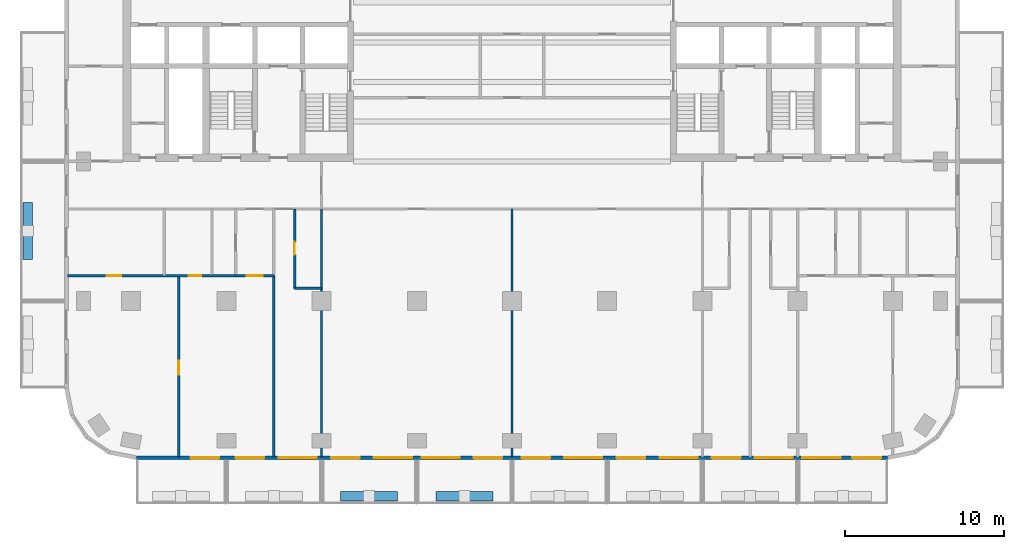
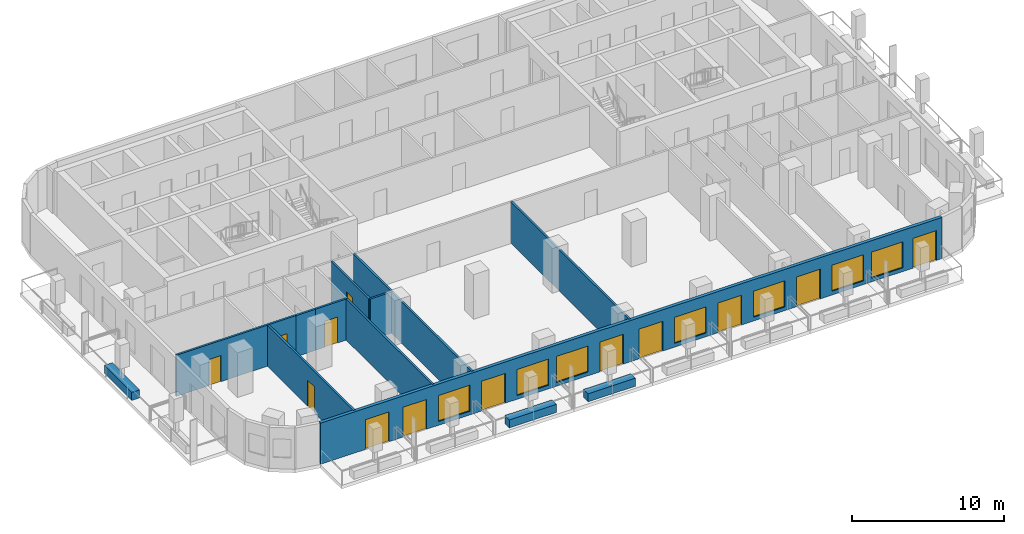
# One storey, part 2 of 11: 13 doors, 13 walls, 7 windows, 20 openings.
"""IFC4 building model written with IfcOpenShell, lengths in metres."""

from ifc_helpers import new_model, si_unit, direction, frame, frame_2d, origin, place, context, subcontext, project, spatial, rectangle, extrude, material, layer, layer_set, type_object, element, fill, save


model = new_model("IFC4")

# Units and contexts
model_context = context("Model", 3, precision=1e-05, world=origin(), true_north=direction((0.0, 1.0)))
body_context = subcontext(model_context, "Body", "Model", "MODEL_VIEW")
ifc_project = project(units=[si_unit("LENGTHUNIT", "METRE"), si_unit("AREAUNIT", "SQUARE_METRE"), si_unit("VOLUMEUNIT", "CUBIC_METRE"), si_unit("PLANEANGLEUNIT", "RADIAN"), si_unit("MASSUNIT", "GRAM", prefix="KILO")], contexts=[model_context])

# Site, building, storey
site_placement = place(None, origin())
site = spatial("IfcSite", under=ifc_project, at=site_placement, CompositionType="ELEMENT")
building_placement = place(site_placement, origin())
building = spatial("IfcBuilding", under=site, at=building_placement, Name="Torana Hotel and Residences", CompositionType="ELEMENT")
storey_placement = place(building_placement, frame((0.0, 0.0, 130.800048828125)))
storey = spatial("IfcBuildingStorey", under=building, at=storey_placement, Name="L33", CompositionType="ELEMENT", Elevation=130.800048828125)

# Wall, openings, doors, windows
ifc_material_1 = material(Name="Black aluminium composite panel", Category="aluminium")
ifc_layer_1 = layer(ifc_material_1, 0.00390625, Name="Cladding", Category="cladding")
ifc_material_2 = material(Name="Ventilated air cavity")
ifc_layer_2 = layer(ifc_material_2, 0.0400390625, Name="Ventilated cavity", Category="cavity")
ifc_material_3 = material(Name="Mineral wool insulation")
ifc_layer_3 = layer(ifc_material_3, 0.090087890625, Name="Insulation", Category="insulation")
ifc_material_4 = material(Name="Steel S280GD", Category="steel")
ifc_layer_4 = layer(ifc_material_4, 0.092041015625, Name="Steel stud frame", Category="structure")
ifc_material_5 = material(Name="Fire rated plasterboard")
ifc_layer_5 = layer(ifc_material_5, 0.011962890625, Name="Inner board", Category="finish")
ifc_layer_6 = layer(ifc_material_5, 0.011962890625, Name="Second board", Category="finish")
ifc_layer_set_1 = layer_set([ifc_layer_1, ifc_layer_2, ifc_layer_3, ifc_layer_4, ifc_layer_5, ifc_layer_6], Name="EW1 EXTERNAL WALL BLACK METAL CLAD 250")
wall_type_1 = type_object("IfcWallType", Name="EW1 EXTERNAL WALL BLACK METAL CLAD 250", PredefinedType="SOLIDWALL", material=ifc_layer_set_1)
wall_1_placement = place(storey_placement, frame((-23.67529296875, -33.675048828125, 0.0), z_axis=(0.0, 0.0, 1.0), x_axis=(1.0, 0.0, 0.0)))
wall_1 = element("IfcWall", 1, at=wall_1_placement, inside=storey, type_object=wall_type_1, Name="External wall L33 e0.14", PredefinedType="SOLIDWALL", context=body_context, shape_type="SweptSolid", body=[
    extrude(rectangle(XDim=47.3505859375, YDim=0.25, at=frame_2d((23.67529296875, 0.0))), origin(), (0.0, 0.0, 1.0), 3.320068359375),
])
opening_1_placement = place(wall_1_placement, frame((3.42529296875, 0.0, 0.0)))
opening_1 = element("IfcOpeningElement", 2, at=opening_1_placement, cuts=wall_1, Name="Opening L33-E01", PredefinedType="OPENING", context=body_context, shape_type="SweptSolid", body=[
    extrude(rectangle(XDim=1.800048828125, YDim=2.39990234375, at=frame_2d((0.89990234375, 1.199951171875))), frame((0.0, 0.135009765625, 0.0), z_axis=(0.0, -1.0, 0.0), x_axis=(1.0, 0.0, 0.0)), (0.0, 0.0, 1.0), 0.27001953125),
])
opening_2_placement = place(wall_1_placement, frame((6.275390625, 0.0, 0.0)))
opening_2 = element("IfcOpeningElement", 3, at=opening_2_placement, cuts=wall_1, Name="Opening L33-E02", PredefinedType="OPENING", context=body_context, shape_type="SweptSolid", body=[
    extrude(rectangle(XDim=1.800048828125, YDim=2.39990234375, at=frame_2d((0.89990234375, 1.199951171875))), frame((0.0, 0.135009765625, 0.0), z_axis=(0.0, -1.0, 0.0), x_axis=(1.0, 0.0, 0.0)), (0.0, 0.0, 1.0), 0.27001953125),
])
opening_3_placement = place(wall_1_placement, frame((8.975341796875, 0.0, 0.300048828125)))
opening_3 = element("IfcOpeningElement", 4, at=opening_3_placement, cuts=wall_1, Name="Opening W1", PredefinedType="OPENING", context=body_context, shape_type="SweptSolid", body=[
    extrude(rectangle(XDim=2.39990234375, YDim=2.10009765625, at=frame_2d((1.199951171875, 1.050048828125))), frame((0.0, 0.135009765625, 0.0), z_axis=(0.0, -1.0, 0.0), x_axis=(1.0, 0.0, 0.0)), (0.0, 0.0, 1.0), 0.27001953125),
])
opening_4_placement = place(wall_1_placement, frame((12.275390625, 0.0, 0.0)))
opening_4 = element("IfcOpeningElement", 5, at=opening_4_placement, cuts=wall_1, Name="Opening L33-E03", PredefinedType="OPENING", context=body_context, shape_type="SweptSolid", body=[
    extrude(rectangle(XDim=1.800048828125, YDim=2.39990234375, at=frame_2d((0.89990234375, 1.199951171875))), frame((0.0, 0.135009765625, 0.0), z_axis=(0.0, -1.0, 0.0), x_axis=(1.0, 0.0, 0.0)), (0.0, 0.0, 1.0), 0.27001953125),
])
opening_5_placement = place(wall_1_placement, frame((14.975341796875, 0.0, 0.300048828125)))
opening_5 = element("IfcOpeningElement", 6, at=opening_5_placement, cuts=wall_1, Name="Opening W1", PredefinedType="OPENING", context=body_context, shape_type="SweptSolid", body=[
    extrude(rectangle(XDim=2.39990234375, YDim=2.10009765625, at=frame_2d((1.199951171875, 1.050048828125))), frame((0.0, 0.135009765625, 0.0), z_axis=(0.0, -1.0, 0.0), x_axis=(1.0, 0.0, 0.0)), (0.0, 0.0, 1.0), 0.27001953125),
])
opening_6_placement = place(wall_1_placement, frame((17.975341796875, 0.0, 0.300048828125)))
opening_6 = element("IfcOpeningElement", 7, at=opening_6_placement, cuts=wall_1, Name="Opening W1", PredefinedType="OPENING", context=body_context, shape_type="SweptSolid", body=[
    extrude(rectangle(XDim=2.39990234375, YDim=2.10009765625, at=frame_2d((1.199951171875, 1.050048828125))), frame((0.0, 0.135009765625, 0.0), z_axis=(0.0, -1.0, 0.0), x_axis=(1.0, 0.0, 0.0)), (0.0, 0.0, 1.0), 0.27001953125),
])
opening_7_placement = place(wall_1_placement, frame((21.275390625, 0.0, 0.0)))
opening_7 = element("IfcOpeningElement", 8, at=opening_7_placement, cuts=wall_1, Name="Opening L33-E04", PredefinedType="OPENING", context=body_context, shape_type="SweptSolid", body=[
    extrude(rectangle(XDim=1.800048828125, YDim=2.39990234375, at=frame_2d((0.89990234375, 1.199951171875))), frame((0.0, 0.135009765625, 0.0), z_axis=(0.0, -1.0, 0.0), x_axis=(1.0, 0.0, 0.0)), (0.0, 0.0, 1.0), 0.27001953125),
])
opening_8_placement = place(wall_1_placement, frame((24.275390625, 0.0, 0.0)))
opening_8 = element("IfcOpeningElement", 9, at=opening_8_placement, cuts=wall_1, Name="Opening L33-E05", PredefinedType="OPENING", context=body_context, shape_type="SweptSolid", body=[
    extrude(rectangle(XDim=1.800048828125, YDim=2.39990234375, at=frame_2d((0.89990234375, 1.199951171875))), frame((0.0, 0.135009765625, 0.0), z_axis=(0.0, -1.0, 0.0), x_axis=(1.0, 0.0, 0.0)), (0.0, 0.0, 1.0), 0.27001953125),
])
opening_9_placement = place(wall_1_placement, frame((26.975341796875, 0.0, 0.300048828125)))
opening_9 = element("IfcOpeningElement", 10, at=opening_9_placement, cuts=wall_1, Name="Opening W1", PredefinedType="OPENING", context=body_context, shape_type="SweptSolid", body=[
    extrude(rectangle(XDim=2.39990234375, YDim=2.10009765625, at=frame_2d((1.199951171875, 1.050048828125))), frame((0.0, 0.135009765625, 0.0), z_axis=(0.0, -1.0, 0.0), x_axis=(1.0, 0.0, 0.0)), (0.0, 0.0, 1.0), 0.27001953125),
])
opening_10_placement = place(wall_1_placement, frame((30.275390625, 0.0, 0.0)))
opening_10 = element("IfcOpeningElement", 11, at=opening_10_placement, cuts=wall_1, Name="Opening L33-E06", PredefinedType="OPENING", context=body_context, shape_type="SweptSolid", body=[
    extrude(rectangle(XDim=1.800048828125, YDim=2.39990234375, at=frame_2d((0.89990234375, 1.199951171875))), frame((0.0, 0.135009765625, 0.0), z_axis=(0.0, -1.0, 0.0), x_axis=(1.0, 0.0, 0.0)), (0.0, 0.0, 1.0), 0.27001953125),
])
opening_11_placement = place(wall_1_placement, frame((32.975341796875, 0.0, 0.300048828125)))
opening_11 = element("IfcOpeningElement", 12, at=opening_11_placement, cuts=wall_1, Name="Opening W1", PredefinedType="OPENING", context=body_context, shape_type="SweptSolid", body=[
    extrude(rectangle(XDim=2.39990234375, YDim=2.10009765625, at=frame_2d((1.199951171875, 1.050048828125))), frame((0.0, 0.135009765625, 0.0), z_axis=(0.0, -1.0, 0.0), x_axis=(1.0, 0.0, 0.0)), (0.0, 0.0, 1.0), 0.27001953125),
])
opening_12_placement = place(wall_1_placement, frame((36.275390625, 0.0, 0.0)))
opening_12 = element("IfcOpeningElement", 13, at=opening_12_placement, cuts=wall_1, Name="Opening L33-E07", PredefinedType="OPENING", context=body_context, shape_type="SweptSolid", body=[
    extrude(rectangle(XDim=1.800048828125, YDim=2.39990234375, at=frame_2d((0.89990234375, 1.199951171875))), frame((0.0, 0.135009765625, 0.0), z_axis=(0.0, -1.0, 0.0), x_axis=(1.0, 0.0, 0.0)), (0.0, 0.0, 1.0), 0.27001953125),
])
opening_13_placement = place(wall_1_placement, frame((38.975341796875, 0.0, 0.300048828125)))
opening_13 = element("IfcOpeningElement", 14, at=opening_13_placement, cuts=wall_1, Name="Opening W1", PredefinedType="OPENING", context=body_context, shape_type="SweptSolid", body=[
    extrude(rectangle(XDim=2.39990234375, YDim=2.10009765625, at=frame_2d((1.199951171875, 1.050048828125))), frame((0.0, 0.135009765625, 0.0), z_axis=(0.0, -1.0, 0.0), x_axis=(1.0, 0.0, 0.0)), (0.0, 0.0, 1.0), 0.27001953125),
])
opening_14_placement = place(wall_1_placement, frame((41.975341796875, 0.0, 0.300048828125)))
opening_14 = element("IfcOpeningElement", 15, at=opening_14_placement, cuts=wall_1, Name="Opening W1", PredefinedType="OPENING", context=body_context, shape_type="SweptSolid", body=[
    extrude(rectangle(XDim=2.39990234375, YDim=2.10009765625, at=frame_2d((1.199951171875, 1.050048828125))), frame((0.0, 0.135009765625, 0.0), z_axis=(0.0, -1.0, 0.0), x_axis=(1.0, 0.0, 0.0)), (0.0, 0.0, 1.0), 0.27001953125),
])
opening_15_placement = place(wall_1_placement, frame((45.12548828125, 0.0, 0.0)))
opening_15 = element("IfcOpeningElement", 16, at=opening_15_placement, cuts=wall_1, Name="Opening L33-E08", PredefinedType="OPENING", context=body_context, shape_type="SweptSolid", body=[
    extrude(rectangle(XDim=1.800048828125, YDim=2.39990234375, at=frame_2d((0.89990234375, 1.199951171875))), frame((0.0, 0.135009765625, 0.0), z_axis=(0.0, -1.0, 0.0), x_axis=(1.0, 0.0, 0.0)), (0.0, 0.0, 1.0), 0.27001953125),
])
ifc_material_6 = material(Name="Dark glass in black aluminium frame", Category="aluminium")
door_type_1 = type_object("IfcDoorType", Name="DB1 BALCONY DOOR 1800x2400", OperationType="DOUBLE_DOOR_SINGLE_SWING", PredefinedType="DOOR", material=ifc_material_6)
door_1_placement = place(opening_1_placement, frame((0.89990234375, 0.0, 0.0), z_axis=(0.0, 0.0, 1.0), x_axis=(-1.0, 0.0, 0.0)))
door_1 = element("IfcDoor", 17, at=door_1_placement, inside=storey, type_object=door_type_1, Name="Balcony door L33", OperationType="DOUBLE_DOOR_SINGLE_SWING", OverallHeight=2.39990234375, OverallWidth=1.800048828125, PredefinedType="DOOR", context=body_context, shape_type="SweptSolid", body=[
    extrude(rectangle(XDim=1.800048828125, YDim=2.39990234375, at=frame_2d((0.0, 1.199951171875))), frame((0.0, -0.02490234375, 0.0), z_axis=(0.0, 1.0, 0.0), x_axis=(-1.0, 0.0, 0.0)), (0.0, 0.0, 1.0), 0.050048828125),
])
fill(opening_1, door_1)
door_2_placement = place(opening_2_placement, origin())
door_2 = element("IfcDoor", 18, at=door_2_placement, inside=storey, type_object=door_type_1, Name="Balcony door L33", OperationType="DOUBLE_DOOR_SINGLE_SWING", OverallHeight=2.39990234375, OverallWidth=1.800048828125, PredefinedType="DOOR", context=body_context, shape_type="SweptSolid", body=[
    extrude(rectangle(XDim=1.800048828125, YDim=2.39990234375, at=frame_2d((0.89990234375, 1.199951171875))), frame((0.0, 0.02490234375, 0.0), z_axis=(0.0, -1.0, 0.0), x_axis=(1.0, 0.0, 0.0)), (0.0, 0.0, 1.0), 0.050048828125),
])
fill(opening_2, door_2)
door_3_placement = place(opening_4_placement, origin())
door_3 = element("IfcDoor", 19, at=door_3_placement, inside=storey, type_object=door_type_1, Name="Balcony door L33", OperationType="DOUBLE_DOOR_SINGLE_SWING", OverallHeight=2.39990234375, OverallWidth=1.800048828125, PredefinedType="DOOR", context=body_context, shape_type="SweptSolid", body=[
    extrude(rectangle(XDim=1.800048828125, YDim=2.39990234375, at=frame_2d((0.89990234375, 1.199951171875))), frame((0.0, 0.02490234375, 0.0), z_axis=(0.0, -1.0, 0.0), x_axis=(1.0, 0.0, 0.0)), (0.0, 0.0, 1.0), 0.050048828125),
])
fill(opening_4, door_3)
door_4_placement = place(opening_7_placement, origin())
door_4 = element("IfcDoor", 20, at=door_4_placement, inside=storey, type_object=door_type_1, Name="Balcony door L33", OperationType="DOUBLE_DOOR_SINGLE_SWING", OverallHeight=2.39990234375, OverallWidth=1.800048828125, PredefinedType="DOOR", context=body_context, shape_type="SweptSolid", body=[
    extrude(rectangle(XDim=1.800048828125, YDim=2.39990234375, at=frame_2d((0.89990234375, 1.199951171875))), frame((0.0, 0.02490234375, 0.0), z_axis=(0.0, -1.0, 0.0), x_axis=(1.0, 0.0, 0.0)), (0.0, 0.0, 1.0), 0.050048828125),
])
fill(opening_7, door_4)
door_5_placement = place(opening_8_placement, origin())
door_5 = element("IfcDoor", 21, at=door_5_placement, inside=storey, type_object=door_type_1, Name="Balcony door L33", OperationType="DOUBLE_DOOR_SINGLE_SWING", OverallHeight=2.39990234375, OverallWidth=1.800048828125, PredefinedType="DOOR", context=body_context, shape_type="SweptSolid", body=[
    extrude(rectangle(XDim=1.800048828125, YDim=2.39990234375, at=frame_2d((0.89990234375, 1.199951171875))), frame((0.0, 0.02490234375, 0.0), z_axis=(0.0, -1.0, 0.0), x_axis=(1.0, 0.0, 0.0)), (0.0, 0.0, 1.0), 0.050048828125),
])
fill(opening_8, door_5)
door_6_placement = place(opening_10_placement, origin())
door_6 = element("IfcDoor", 22, at=door_6_placement, inside=storey, type_object=door_type_1, Name="Balcony door L33", OperationType="DOUBLE_DOOR_SINGLE_SWING", OverallHeight=2.39990234375, OverallWidth=1.800048828125, PredefinedType="DOOR", context=body_context, shape_type="SweptSolid", body=[
    extrude(rectangle(XDim=1.800048828125, YDim=2.39990234375, at=frame_2d((0.89990234375, 1.199951171875))), frame((0.0, 0.02490234375, 0.0), z_axis=(0.0, -1.0, 0.0), x_axis=(1.0, 0.0, 0.0)), (0.0, 0.0, 1.0), 0.050048828125),
])
fill(opening_10, door_6)
door_7_placement = place(opening_12_placement, origin())
door_7 = element("IfcDoor", 23, at=door_7_placement, inside=storey, type_object=door_type_1, Name="Balcony door L33", OperationType="DOUBLE_DOOR_SINGLE_SWING", OverallHeight=2.39990234375, OverallWidth=1.800048828125, PredefinedType="DOOR", context=body_context, shape_type="SweptSolid", body=[
    extrude(rectangle(XDim=1.800048828125, YDim=2.39990234375, at=frame_2d((0.89990234375, 1.199951171875))), frame((0.0, 0.02490234375, 0.0), z_axis=(0.0, -1.0, 0.0), x_axis=(1.0, 0.0, 0.0)), (0.0, 0.0, 1.0), 0.050048828125),
])
fill(opening_12, door_7)
door_8_placement = place(opening_15_placement, origin())
door_8 = element("IfcDoor", 24, at=door_8_placement, inside=storey, type_object=door_type_1, Name="Balcony door L33", OperationType="DOUBLE_DOOR_SINGLE_SWING", OverallHeight=2.39990234375, OverallWidth=1.800048828125, PredefinedType="DOOR", context=body_context, shape_type="SweptSolid", body=[
    extrude(rectangle(XDim=1.800048828125, YDim=2.39990234375, at=frame_2d((0.89990234375, 1.199951171875))), frame((0.0, 0.02490234375, 0.0), z_axis=(0.0, -1.0, 0.0), x_axis=(1.0, 0.0, 0.0)), (0.0, 0.0, 1.0), 0.050048828125),
])
fill(opening_15, door_8)
ifc_material_7 = material(Name="Dark glass in black aluminium frame", Category="aluminium")
window_type = type_object("IfcWindowType", Name="W1 HOTEL ROOM WINDOW 2400x2100", PartitioningType="SINGLE_PANEL", PredefinedType="WINDOW", material=ifc_material_7)
window_1_placement = place(opening_3_placement, origin())
window_1 = element("IfcWindow", 25, at=window_1_placement, inside=storey, type_object=window_type, Name="Window L33", OverallHeight=2.10009765625, OverallWidth=2.39990234375, PartitioningType="SINGLE_PANEL", PredefinedType="WINDOW", context=body_context, shape_type="SweptSolid", body=[
    extrude(rectangle(XDim=2.39990234375, YDim=2.10009765625, at=frame_2d((1.199951171875, 1.050048828125))), frame((0.0, 0.030029296875, 0.0), z_axis=(0.0, -1.0, 0.0), x_axis=(1.0, 0.0, 0.0)), (0.0, 0.0, 1.0), 0.06005859375),
])
fill(opening_3, window_1)
window_2_placement = place(opening_5_placement, origin())
window_2 = element("IfcWindow", 26, at=window_2_placement, inside=storey, type_object=window_type, Name="Window L33", OverallHeight=2.10009765625, OverallWidth=2.39990234375, PartitioningType="SINGLE_PANEL", PredefinedType="WINDOW", context=body_context, shape_type="SweptSolid", body=[
    extrude(rectangle(XDim=2.39990234375, YDim=2.10009765625, at=frame_2d((1.199951171875, 1.050048828125))), frame((0.0, 0.030029296875, 0.0), z_axis=(0.0, -1.0, 0.0), x_axis=(1.0, 0.0, 0.0)), (0.0, 0.0, 1.0), 0.06005859375),
])
fill(opening_5, window_2)
window_3_placement = place(opening_6_placement, origin())
window_3 = element("IfcWindow", 27, at=window_3_placement, inside=storey, type_object=window_type, Name="Window L33", OverallHeight=2.10009765625, OverallWidth=2.39990234375, PartitioningType="SINGLE_PANEL", PredefinedType="WINDOW", context=body_context, shape_type="SweptSolid", body=[
    extrude(rectangle(XDim=2.39990234375, YDim=2.10009765625, at=frame_2d((1.199951171875, 1.050048828125))), frame((0.0, 0.030029296875, 0.0), z_axis=(0.0, -1.0, 0.0), x_axis=(1.0, 0.0, 0.0)), (0.0, 0.0, 1.0), 0.06005859375),
])
fill(opening_6, window_3)
window_4_placement = place(opening_9_placement, origin())
window_4 = element("IfcWindow", 28, at=window_4_placement, inside=storey, type_object=window_type, Name="Window L33", OverallHeight=2.10009765625, OverallWidth=2.39990234375, PartitioningType="SINGLE_PANEL", PredefinedType="WINDOW", context=body_context, shape_type="SweptSolid", body=[
    extrude(rectangle(XDim=2.39990234375, YDim=2.10009765625, at=frame_2d((1.199951171875, 1.050048828125))), frame((0.0, 0.030029296875, 0.0), z_axis=(0.0, -1.0, 0.0), x_axis=(1.0, 0.0, 0.0)), (0.0, 0.0, 1.0), 0.06005859375),
])
fill(opening_9, window_4)
window_5_placement = place(opening_11_placement, origin())
window_5 = element("IfcWindow", 29, at=window_5_placement, inside=storey, type_object=window_type, Name="Window L33", OverallHeight=2.10009765625, OverallWidth=2.39990234375, PartitioningType="SINGLE_PANEL", PredefinedType="WINDOW", context=body_context, shape_type="SweptSolid", body=[
    extrude(rectangle(XDim=2.39990234375, YDim=2.10009765625, at=frame_2d((1.199951171875, 1.050048828125))), frame((0.0, 0.030029296875, 0.0), z_axis=(0.0, -1.0, 0.0), x_axis=(1.0, 0.0, 0.0)), (0.0, 0.0, 1.0), 0.06005859375),
])
fill(opening_11, window_5)
window_6_placement = place(opening_13_placement, origin())
window_6 = element("IfcWindow", 30, at=window_6_placement, inside=storey, type_object=window_type, Name="Window L33", OverallHeight=2.10009765625, OverallWidth=2.39990234375, PartitioningType="SINGLE_PANEL", PredefinedType="WINDOW", context=body_context, shape_type="SweptSolid", body=[
    extrude(rectangle(XDim=2.39990234375, YDim=2.10009765625, at=frame_2d((1.199951171875, 1.050048828125))), frame((0.0, 0.030029296875, 0.0), z_axis=(0.0, -1.0, 0.0), x_axis=(1.0, 0.0, 0.0)), (0.0, 0.0, 1.0), 0.06005859375),
])
fill(opening_13, window_6)
window_7_placement = place(opening_14_placement, origin())
window_7 = element("IfcWindow", 31, at=window_7_placement, inside=storey, type_object=window_type, Name="Window L33", OverallHeight=2.10009765625, OverallWidth=2.39990234375, PartitioningType="SINGLE_PANEL", PredefinedType="WINDOW", context=body_context, shape_type="SweptSolid", body=[
    extrude(rectangle(XDim=2.39990234375, YDim=2.10009765625, at=frame_2d((1.199951171875, 1.050048828125))), frame((0.0, 0.030029296875, 0.0), z_axis=(0.0, -1.0, 0.0), x_axis=(1.0, 0.0, 0.0)), (0.0, 0.0, 1.0), 0.06005859375),
])
fill(opening_14, window_7)

# Wall, opening, door
ifc_material_8 = material(Name="Gypsum plaster")
ifc_layer_7 = layer(ifc_material_8, 0.014892578125, Name="Plaster", Category="finish")
ifc_material_9 = material(Name="Concrete blockwork", Category="masonry")
ifc_layer_8 = layer(ifc_material_9, 0.1201171875, Name="Blockwork", Category="structure")
ifc_layer_9 = layer(ifc_material_8, 0.014892578125, Name="Plaster", Category="finish")
ifc_layer_set_2 = layer_set([ifc_layer_7, ifc_layer_8, ifc_layer_9], Name="FIRE PARTITION 150 BLOCKWORK")
wall_type_2 = type_object("IfcWallType", Name="FIRE PARTITION 150 BLOCKWORK", PredefinedType="PARTITIONING", material=ifc_layer_set_2)
wall_2_placement = place(storey_placement, frame((-17.39990234375, -22.199951171875, 0.0), z_axis=(0.0, 0.0, 1.0), x_axis=(1.0, 0.0, 0.0)))
wall_2 = element("IfcWall", 32, at=wall_2_placement, inside=storey, type_object=wall_type_2, Name="Partition L33", PredefinedType="PARTITIONING", context=body_context, shape_type="SweptSolid", body=[
    extrude(rectangle(XDim=2.39990234375, YDim=0.14990234375, at=frame_2d((1.199951171875, 0.0))), origin(), (0.0, 0.0, 1.0), 3.320068359375),
])
opening_16_placement = place(wall_2_placement, frame((0.679931640625, 0.0, 0.0)))
opening_16 = element("IfcOpeningElement", 33, at=opening_16_placement, cuts=wall_2, Name="Opening L33-55", PredefinedType="OPENING", context=body_context, shape_type="SweptSolid", body=[
    extrude(rectangle(XDim=1.0, YDim=2.10009765625, at=frame_2d((0.5, 1.050048828125))), frame((0.0, 0.0849609375, 0.0), z_axis=(0.0, -1.0, 0.0), x_axis=(1.0, 0.0, 0.0)), (0.0, 0.0, 1.0), 0.169921875),
])
ifc_material_10 = material(Name="Steel S235", Category="steel")
door_type_2 = type_object("IfcDoorType", Name="ENTRY FIRE DOOR D6 1000x2100", OperationType="SINGLE_SWING_LEFT", PredefinedType="DOOR", material=ifc_material_10)
door_9_placement = place(opening_16_placement, frame((0.5, 0.0, 0.0), z_axis=(0.0, 0.0, 1.0), x_axis=(-1.0, 0.0, 0.0)))
door_9 = element("IfcDoor", 34, at=door_9_placement, inside=storey, type_object=door_type_2, Name="Door L33", OperationType="SINGLE_SWING_RIGHT", OverallHeight=2.10009765625, OverallWidth=1.0, PredefinedType="DOOR", context=body_context, shape_type="SweptSolid", body=[
    extrude(rectangle(XDim=1.0, YDim=2.10009765625, at=frame_2d((0.0, 1.050048828125))), frame((0.0, -0.02490234375, 0.0), z_axis=(0.0, 1.0, 0.0), x_axis=(-1.0, 0.0, 0.0)), (0.0, 0.0, 1.0), 0.050048828125),
])
fill(opening_16, door_9)

# Walls
ifc_material_11 = material(Name="Gypsum plasterboard")
ifc_layer_10 = layer(ifc_material_11, 0.012451171875, Name="Plasterboard", Category="finish")
ifc_layer_11 = layer(ifc_material_11, 0.012451171875, Name="Plasterboard", Category="finish")
ifc_layer_12 = layer(ifc_material_4, 0.10009765625, Name="Steel studs with mineral wool", Category="insulation")
ifc_layer_13 = layer(ifc_material_11, 0.012451171875, Name="Plasterboard", Category="finish")
ifc_layer_14 = layer(ifc_material_11, 0.012451171875, Name="Plasterboard", Category="finish")
ifc_layer_set_3 = layer_set([ifc_layer_10, ifc_layer_11, ifc_layer_12, ifc_layer_13, ifc_layer_14], Name="PARTITION 150 PLASTERBOARD")
wall_type_3 = type_object("IfcWallType", Name="PARTITION 150 PLASTERBOARD", PredefinedType="PARTITIONING", material=ifc_layer_set_3)
for number, where, z_axis, x_axis, name in (
    (35, (0.0, -33.6201171875, 0.0), (0.0, 0.0, 1.0), (0.0, 1.0, 0.0), "Partition L33"),
    (36, (-12.0, -33.6201171875, 0.0), (0.0, 0.0, 1.0), (0.0, 1.0, 0.0), "Partition L33"),
):
    element("IfcWall", number, at=place(storey_placement, frame(where, z_axis=z_axis, x_axis=x_axis)), inside=storey, type_object=wall_type_3, Name=name, PredefinedType="PARTITIONING", context=body_context, shape_type="SweptSolid", body=[
        extrude(rectangle(XDim=15.6201171875, YDim=0.14990234375, at=frame_2d((7.81005859375, 0.0))), origin(), (0.0, 0.0, 1.0), 3.320068359375),
    ])

# Wall, opening, door
wall_3_placement = place(storey_placement, frame((-13.699951171875, -23.0, 0.0), z_axis=(0.0, 0.0, 1.0), x_axis=(0.0, 1.0, 0.0)))
wall_3 = element("IfcWall", 37, at=wall_3_placement, inside=storey, type_object=wall_type_3, Name="Partition L33", PredefinedType="PARTITIONING", context=body_context, shape_type="SweptSolid", body=[
    extrude(rectangle(XDim=5.0, YDim=0.14990234375, at=frame_2d((2.5, 0.0))), origin(), (0.0, 0.0, 1.0), 3.320068359375),
])
opening_17_placement = place(wall_3_placement, frame((2.1201171875, 0.0, 0.0)))
opening_17 = element("IfcOpeningElement", 38, at=opening_17_placement, cuts=wall_3, Name="Opening L33-51", PredefinedType="OPENING", context=body_context, shape_type="SweptSolid", body=[
    extrude(rectangle(XDim=0.800048828125, YDim=2.10009765625, at=frame_2d((0.39990234375, 1.050048828125))), frame((0.0, 0.0849609375, 0.0), z_axis=(0.0, -1.0, 0.0), x_axis=(1.0, 0.0, 0.0)), (0.0, 0.0, 1.0), 0.169921875),
])
ifc_material_12 = material(Name="Timber door, painted", Category="wood")
door_type_3 = type_object("IfcDoorType", Name="BATH DOOR D13 800x2100", OperationType="SINGLE_SWING_LEFT", PredefinedType="DOOR", material=ifc_material_12)
door_10_placement = place(opening_17_placement, origin())
door_10 = element("IfcDoor", 39, at=door_10_placement, inside=storey, type_object=door_type_3, Name="Door L33", OperationType="SINGLE_SWING_RIGHT", OverallHeight=2.10009765625, OverallWidth=0.800048828125, PredefinedType="DOOR", context=body_context, shape_type="SweptSolid", body=[
    extrude(rectangle(XDim=0.800048828125, YDim=2.10009765625, at=frame_2d((0.39990234375, 1.050048828125))), frame((0.0, 0.02490234375, 0.0), z_axis=(0.0, -1.0, 0.0), x_axis=(1.0, 0.0, 0.0)), (0.0, 0.0, 1.0), 0.050048828125),
])
fill(opening_17, door_10)

# Wall
wall_4_placement = place(storey_placement, frame((-15.0, -33.6201171875, 0.0), z_axis=(0.0, 0.0, 1.0), x_axis=(0.0, 1.0, 0.0)))
element("IfcWall", 40, at=wall_4_placement, inside=storey, type_object=wall_type_3, Name="Partition L33", PredefinedType="PARTITIONING", context=body_context, shape_type="SweptSolid", body=[
    extrude(rectangle(XDim=11.420166015625, YDim=0.14990234375, at=frame_2d((5.7099609375, 0.0))), origin(), (0.0, 0.0, 1.0), 3.320068359375),
])

# Wall, opening, door
wall_5_placement = place(storey_placement, frame((-21.0, -33.6201171875, 0.0), z_axis=(0.0, 0.0, 1.0), x_axis=(0.0, 1.0, 0.0)))
wall_5 = element("IfcWall", 41, at=wall_5_placement, inside=storey, type_object=wall_type_3, Name="Partition L33", PredefinedType="PARTITIONING", context=body_context, shape_type="SweptSolid", body=[
    extrude(rectangle(XDim=11.420166015625, YDim=0.14990234375, at=frame_2d((5.7099609375, 0.0))), origin(), (0.0, 0.0, 1.0), 3.320068359375),
])
opening_18_placement = place(wall_5_placement, frame((5.169921875, 0.0, 0.0)))
opening_18 = element("IfcOpeningElement", 42, at=opening_18_placement, cuts=wall_5, Name="Opening L33-58", PredefinedType="OPENING", context=body_context, shape_type="SweptSolid", body=[
    extrude(rectangle(XDim=0.89990234375, YDim=2.10009765625, at=frame_2d((0.449951171875, 1.050048828125))), frame((0.0, 0.0849609375, 0.0), z_axis=(0.0, -1.0, 0.0), x_axis=(1.0, 0.0, 0.0)), (0.0, 0.0, 1.0), 0.169921875),
])
ifc_material_13 = material(Name="Timber door, oiled ash", Category="wood")
door_type_4 = type_object("IfcDoorType", Name="ROOM DOOR D7 900x2100", OperationType="SINGLE_SWING_LEFT", PredefinedType="DOOR", material=ifc_material_13)
door_11_placement = place(opening_18_placement, origin())
door_11 = element("IfcDoor", 43, at=door_11_placement, inside=storey, type_object=door_type_4, Name="Door L33", OperationType="SINGLE_SWING_RIGHT", OverallHeight=2.10009765625, OverallWidth=0.89990234375, PredefinedType="DOOR", context=body_context, shape_type="SweptSolid", body=[
    extrude(rectangle(XDim=0.89990234375, YDim=2.10009765625, at=frame_2d((0.449951171875, 1.050048828125))), frame((0.0, 0.02490234375, 0.0), z_axis=(0.0, -1.0, 0.0), x_axis=(1.0, 0.0, 0.0)), (0.0, 0.0, 1.0), 0.050048828125),
])
fill(opening_18, door_11)

# Wall
wall_6_placement = place(storey_placement, frame((-13.699951171875, -23.0, 0.0), z_axis=(0.0, 0.0, 1.0), x_axis=(1.0, 0.0, 0.0)))
element("IfcWall", 44, at=wall_6_placement, inside=storey, type_object=wall_type_3, Name="Partition L33", PredefinedType="PARTITIONING", context=body_context, shape_type="SweptSolid", body=[
    extrude(rectangle(XDim=1.699951171875, YDim=0.14990234375, at=frame_2d((0.85009765625, 0.0))), origin(), (0.0, 0.0, 1.0), 3.320068359375),
])

# Wall, openings, doors
wall_7_placement = place(storey_placement, frame((-28.02001953125, -22.199951171875, 0.0), z_axis=(0.0, 0.0, 1.0), x_axis=(1.0, 0.0, 0.0)))
wall_7 = element("IfcWall", 45, at=wall_7_placement, inside=storey, type_object=wall_type_3, Name="Partition L33", PredefinedType="PARTITIONING", context=body_context, shape_type="SweptSolid", body=[
    extrude(rectangle(XDim=9.1201171875, YDim=0.14990234375, at=frame_2d((4.56005859375, 0.0))), origin(), (0.0, 0.0, 1.0), 3.320068359375),
])
opening_19_placement = place(wall_7_placement, frame((7.64990234375, 0.0, 0.0)))
opening_19 = element("IfcOpeningElement", 46, at=opening_19_placement, cuts=wall_7, Name="Opening L33-56", PredefinedType="OPENING", context=body_context, shape_type="SweptSolid", body=[
    extrude(rectangle(XDim=0.800048828125, YDim=2.10009765625, at=frame_2d((0.39990234375, 1.050048828125))), frame((0.0, 0.0849609375, 0.0), z_axis=(0.0, -1.0, 0.0), x_axis=(1.0, 0.0, 0.0)), (0.0, 0.0, 1.0), 0.169921875),
])
opening_20_placement = place(wall_7_placement, frame((2.5, 0.0, 0.0)))
opening_20 = element("IfcOpeningElement", 47, at=opening_20_placement, cuts=wall_7, Name="Opening L33-57", PredefinedType="OPENING", context=body_context, shape_type="SweptSolid", body=[
    extrude(rectangle(XDim=0.89990234375, YDim=2.10009765625, at=frame_2d((0.449951171875, 1.050048828125))), frame((0.0, 0.0849609375, 0.0), z_axis=(0.0, -1.0, 0.0), x_axis=(1.0, 0.0, 0.0)), (0.0, 0.0, 1.0), 0.169921875),
])
door_12_placement = place(opening_19_placement, origin())
door_12 = element("IfcDoor", 48, at=door_12_placement, inside=storey, type_object=door_type_3, Name="Door L33", OperationType="SINGLE_SWING_LEFT", OverallHeight=2.10009765625, OverallWidth=0.800048828125, PredefinedType="DOOR", context=body_context, shape_type="SweptSolid", body=[
    extrude(rectangle(XDim=0.800048828125, YDim=2.10009765625, at=frame_2d((0.39990234375, 1.050048828125))), frame((0.0, 0.02490234375, 0.0), z_axis=(0.0, -1.0, 0.0), x_axis=(1.0, 0.0, 0.0)), (0.0, 0.0, 1.0), 0.050048828125),
])
fill(opening_19, door_12)
door_13_placement = place(opening_20_placement, origin())
door_13 = element("IfcDoor", 49, at=door_13_placement, inside=storey, type_object=door_type_4, Name="Door L33", OperationType="SINGLE_SWING_RIGHT", OverallHeight=2.10009765625, OverallWidth=0.89990234375, PredefinedType="DOOR", context=body_context, shape_type="SweptSolid", body=[
    extrude(rectangle(XDim=0.89990234375, YDim=2.10009765625, at=frame_2d((0.449951171875, 1.050048828125))), frame((0.0, 0.02490234375, 0.0), z_axis=(0.0, -1.0, 0.0), x_axis=(1.0, 0.0, 0.0)), (0.0, 0.0, 1.0), 0.050048828125),
])
fill(opening_20, door_13)

# Walls
ifc_material_14 = material(Name="Concrete C40/50 precast", Category="concrete")
ifc_layer_15 = layer(ifc_material_14, 0.10009765625, Name="Planter shell", Category="structure")
ifc_material_15 = material(Name="Root resistant membrane")
ifc_layer_16 = layer(ifc_material_15, 0.00390625, Name="Waterproofing membrane", Category="membrane")
ifc_material_16 = material(Name="Drainage board with filter fleece")
ifc_layer_17 = layer(ifc_material_16, 0.02001953125, Name="Drainage board", Category="drainage")
ifc_material_17 = material(Name="Growing medium")
ifc_layer_18 = layer(ifc_material_17, 0.47607421875, Name="Planting substrate", Category="soil")
ifc_layer_set_4 = layer_set([ifc_layer_15, ifc_layer_16, ifc_layer_17, ifc_layer_18], Name="PL1 BALCONY PLANTER 600")
wall_type_4 = type_object("IfcWallType", Name="PL1 BALCONY PLANTER 600", PredefinedType="USERDEFINED", material=ifc_layer_set_4)
for number, where, z_axis, x_axis, name in (
    (50, (-7.199951171875, -36.10009765625, 0.0), (0.0, 0.0, 1.0), (-1.0, 0.0, 0.0), "Planter 03"),
    (51, (-1.199951171875, -36.10009765625, 0.0), (0.0, 0.0, 1.0), (-1.0, 0.0, 0.0), "Planter 04"),
):
    element("IfcWall", number, at=place(storey_placement, frame(where, z_axis=z_axis, x_axis=x_axis)), inside=storey, type_object=wall_type_4, Name=name, ObjectType="PLANTER", PredefinedType="USERDEFINED", context=body_context, shape_type="SweptSolid", body=[
        extrude(rectangle(XDim=3.60009765625, YDim=0.60009765625, at=frame_2d((1.800048828125, 0.0))), origin(), (0.0, 0.0, 1.0), 0.64990234375),
    ])
wall_8_placement = place(storey_placement, frame((-30.5, -21.199951171875, 0.0), z_axis=(0.0, 0.0, 1.0), x_axis=(0.0, 1.0, 0.0)))
element("IfcWall", 52, at=wall_8_placement, inside=storey, type_object=wall_type_4, Name="Planter 10", ObjectType="PLANTER", PredefinedType="USERDEFINED", context=body_context, shape_type="SweptSolid", body=[
    extrude(rectangle(XDim=3.599853515625, YDim=0.60009765625, at=frame_2d((1.7998046875, 0.0))), origin(), (0.0, 0.0, 1.0), 0.64990234375),
])
ifc_material_18 = material(Name="Ceramic tile on adhesive")
ifc_layer_19 = layer(ifc_material_18, 0.010009765625, Name="Wall tile", Category="finish")
ifc_material_19 = material(Name="Cement render")
ifc_layer_20 = layer(ifc_material_19, 0.010009765625, Name="Render", Category="finish")
ifc_layer_21 = layer(ifc_material_9, 0.110107421875, Name="Blockwork", Category="structure")
ifc_layer_22 = layer(ifc_material_19, 0.010009765625, Name="Render", Category="finish")
ifc_layer_23 = layer(ifc_material_18, 0.010009765625, Name="Wall tile", Category="finish")
ifc_layer_set_5 = layer_set([ifc_layer_19, ifc_layer_20, ifc_layer_21, ifc_layer_22, ifc_layer_23], Name="WC PARTITION 150")
wall_type_5 = type_object("IfcWallType", Name="WC PARTITION 150", PredefinedType="PLUMBINGWALL", material=ifc_layer_set_5)
wall_9_placement = place(storey_placement, frame((-18.89990234375, -22.199951171875, 0.0), z_axis=(0.0, 0.0, 1.0), x_axis=(1.0, 0.0, 0.0)))
element("IfcWall", 53, at=wall_9_placement, inside=storey, type_object=wall_type_5, Name="Partition L33", PredefinedType="PLUMBINGWALL", context=body_context, shape_type="SweptSolid", body=[
    extrude(rectangle(XDim=1.5, YDim=0.14990234375, at=frame_2d((0.75, 0.0))), origin(), (0.0, 0.0, 1.0), 3.320068359375),
])

save(model, "model.ifc")
